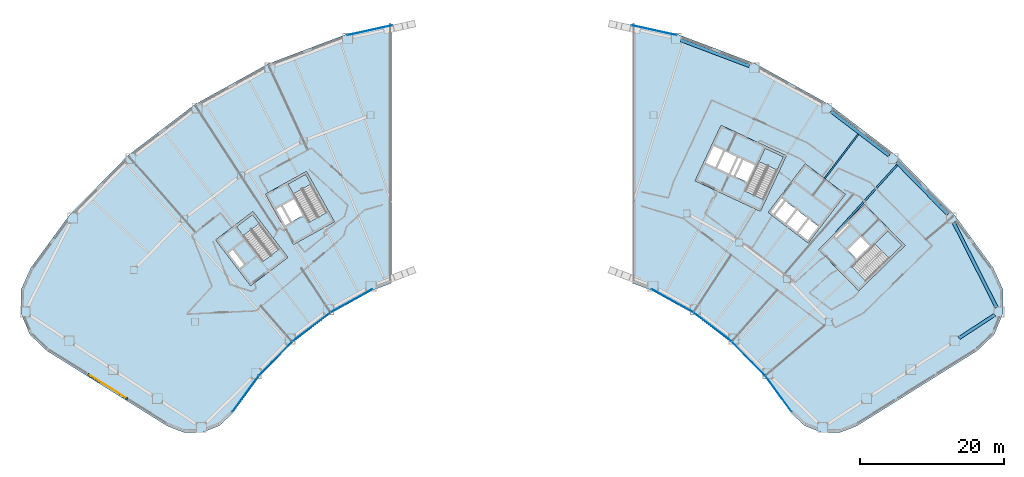
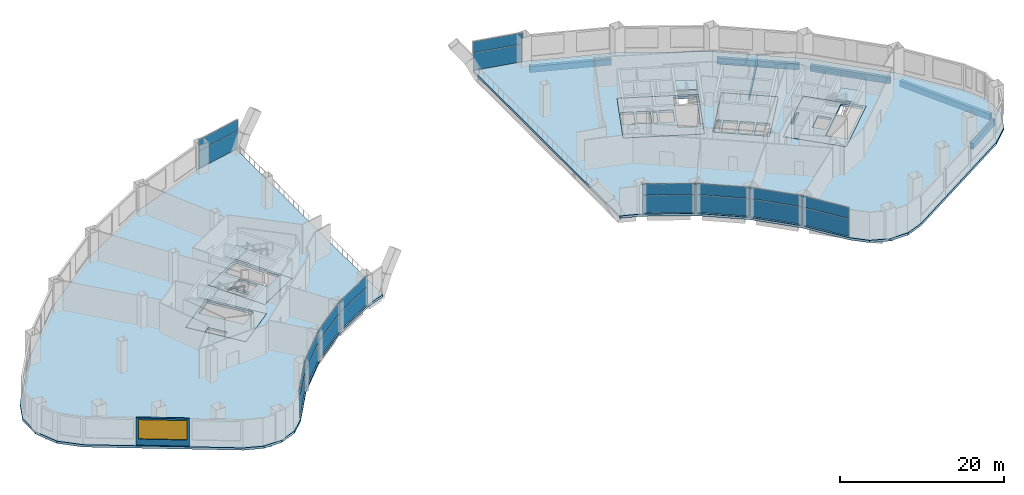
# One storey, part 11 of 20: 20 plates, 11 slabs, 7 beams, 1 wall, 1 window, 1 opening, 14 elements without a shape of their own.
"""IFC4 building model written with IfcOpenShell, lengths in metres."""

from ifc_helpers import new_model, si_unit, direction, frame, frame_2d, origin, origin_2d, place, context, subcontext, project, spatial, polyline, rectangle, hollow_rectangle, i_section, outline, extrude, material, layer, layer_set, material_profile, profile_set, type_object, element, fill, aggregate, save


model = new_model("IFC4")

# Units and contexts
model_context = context("Model", 3, precision=1e-05, world=origin(), true_north=direction((0.0, 1.0)))
body_context = subcontext(model_context, "Body", "Model", "MODEL_VIEW")
ifc_project = project(units=[si_unit("LENGTHUNIT", "METRE"), si_unit("AREAUNIT", "SQUARE_METRE"), si_unit("VOLUMEUNIT", "CUBIC_METRE"), si_unit("PLANEANGLEUNIT", "RADIAN"), si_unit("MASSUNIT", "GRAM", prefix="KILO")], contexts=[model_context])

# Site, building, storey
site_placement = place(None, origin())
site = spatial("IfcSite", under=ifc_project, at=site_placement, CompositionType="ELEMENT")
building_placement = place(site_placement, origin())
building = spatial("IfcBuilding", under=site, at=building_placement, Name="Tuul Gate Civic Tower", CompositionType="ELEMENT")
storey_placement = place(building_placement, frame((0.0, 0.0, 12.300048828125)))
storey = spatial("IfcBuildingStorey", under=building, at=storey_placement, Name="Level 02", CompositionType="ELEMENT", Elevation=12.300048828125)

# Beams
ifc_material_1 = material(Name="Steel S355", Category="steel")
ifc_material_profile_1 = material_profile(ifc_material_1, i_section(OverallWidth=0.199951171875, OverallDepth=0.5, WebThickness=0.010009765625, FlangeThickness=0.01611328125, at=origin_2d()), Name="PG500x200x10x16")
ifc_profile_set_1 = profile_set([ifc_material_profile_1], Name="Steel S355")
beam_type_1 = type_object("IfcBeamType", Name="STR-FLOOR BEAM-PG500x200x10x16", PredefinedType="BEAM", material=ifc_profile_set_1)
beam_1_placement = place(storey_placement, frame((43.373779296875, -2.84375, -0.60009765625), z_axis=(0.604512693182, 0.796595508261, 0.0), x_axis=(-0.796595508261, 0.604512693182, 0.0)))
element("IfcBeam", 1, at=beam_1_placement, inside=storey, type_object=beam_type_1, Name="Floor beam", PredefinedType="BEAM", context=body_context, shape_type="SweptSolid", body=[
    extrude(i_section(OverallWidth=0.199951171875, OverallDepth=0.5, WebThickness=0.010009765625, FlangeThickness=0.01611328125, at=origin_2d()), origin(), (0.0, 0.0, 1.0), 7.704833984375),
])
ifc_material_2 = material(Name="Steel S355", Category="steel")
ifc_material_profile_2 = material_profile(ifc_material_2, i_section(OverallWidth=0.25, OverallDepth=0.64990234375, WebThickness=0.011962890625, FlangeThickness=0.02001953125, at=origin_2d()), Name="PG650x250x12x20")
ifc_profile_set_2 = profile_set([ifc_material_profile_2], Name="Steel S355")
beam_type_2 = type_object("IfcBeamType", Name="STR-FLOOR BEAM-PG650x250x12x20", PredefinedType="BEAM", material=ifc_profile_set_2)
beam_2_placement = place(storey_placement, frame((45.019775390625, -10.267578125, -0.675048828125), z_axis=(0.671117634609, 0.741350875441, 0.0), x_axis=(-0.741350875441, 0.671117634609, 0.0)))
element("IfcBeam", 2, at=beam_2_placement, inside=storey, type_object=beam_type_2, Name="Floor beam", PredefinedType="BEAM", context=body_context, shape_type="SweptSolid", body=[
    extrude(i_section(OverallWidth=0.25, OverallDepth=0.64990234375, WebThickness=0.011962890625, FlangeThickness=0.02001953125, at=origin_2d()), origin(), (0.0, 0.0, 1.0), 12.51416015625),
])
ifc_material_3 = material(Name="Steel S355", Category="steel")
ifc_material_profile_3 = material_profile(ifc_material_3, hollow_rectangle(XDim=0.449951171875, YDim=0.89990234375, WallThickness=0.02490234375, at=origin_2d()), Name="BOX900x450x25")
ifc_profile_set_3 = profile_set([ifc_material_profile_3], Name="Steel S355")
beam_type_3 = type_object("IfcBeamType", Name="STR-SPANDREL BEAM-BOX900x450x25", PredefinedType="BEAM", material=ifc_profile_set_3)
beam_3_placement = place(storey_placement, frame((67.245849609375, -20.742431640625, -0.800048828125), z_axis=(-0.451678979782, 0.892180530623, 0.0), x_axis=(-0.892180530623, -0.451678979782, 0.0)))
element("IfcBeam", 3, at=beam_3_placement, inside=storey, type_object=beam_type_3, Name="Spandrel beam", PredefinedType="BEAM", context=body_context, shape_type="SweptSolid", body=[
    extrude(hollow_rectangle(XDim=0.449951171875, YDim=0.89990234375, WallThickness=0.02490234375, at=origin_2d()), origin(), (0.0, 0.0, 1.0), 13.214599609375),
])
beam_4_placement = place(storey_placement, frame((60.470947265625, -7.828125, -0.800048828125), z_axis=(-0.700009826077, 0.714133211239, 0.0), x_axis=(-0.714133211239, -0.700009826077, 0.0)))
element("IfcBeam", 4, at=beam_4_placement, inside=storey, type_object=beam_type_3, Name="Spandrel beam", PredefinedType="BEAM", context=body_context, shape_type="SweptSolid", body=[
    extrude(hollow_rectangle(XDim=0.449951171875, YDim=0.89990234375, WallThickness=0.02490234375, at=origin_2d()), origin(), (0.0, 0.0, 1.0), 10.14697265625),
])
beam_5_placement = place(storey_placement, frame((52.321044921875, 0.342041015625, -0.800048828125), z_axis=(-0.795616160285, 0.605801060987, 0.0), x_axis=(-0.605801060987, -0.795616160285, 0.0)))
element("IfcBeam", 5, at=beam_5_placement, inside=storey, type_object=beam_type_3, Name="Spandrel beam", PredefinedType="BEAM", context=body_context, shape_type="SweptSolid", body=[
    extrude(hollow_rectangle(XDim=0.449951171875, YDim=0.89990234375, WallThickness=0.02490234375, at=origin_2d()), origin(), (0.0, 0.0, 1.0), 10.146728515625),
])
beam_6_placement = place(storey_placement, frame((32.937255859375, 12.758544921875, -0.800048828125), z_axis=(-0.935355549891, 0.353708913215, 0.0), x_axis=(-0.353708913215, -0.935355549891, 0.0)))
element("IfcBeam", 6, at=beam_6_placement, inside=storey, type_object=beam_type_3, Name="Spandrel beam", PredefinedType="BEAM", context=body_context, shape_type="SweptSolid", body=[
    extrude(hollow_rectangle(XDim=0.449951171875, YDim=0.89990234375, WallThickness=0.02490234375, at=origin_2d()), origin(), (0.0, 0.0, 1.0), 10.146484375),
])
beam_7_placement = place(storey_placement, frame((62.03271484375, -24.985595703125, -0.800048828125), z_axis=(0.836737319566, 0.547604472265, 0.0), x_axis=(-0.547604472265, 0.836737319566, 0.0)))
element("IfcBeam", 7, at=beam_7_placement, inside=storey, type_object=beam_type_3, Name="Spandrel beam", PredefinedType="BEAM", context=body_context, shape_type="SweptSolid", body=[
    extrude(hollow_rectangle(XDim=0.449951171875, YDim=0.89990234375, WallThickness=0.02490234375, at=origin_2d()), origin(), (0.0, 0.0, 1.0), 5.908203125),
])

# Curtain wall, plates
ifc_material_4 = material(Name="Aluminium", Category="aluminium")
ifc_layer_1 = layer(ifc_material_4, 0.199951171875)
ifc_layer_set_1 = layer_set([ifc_layer_1], Name="Aluminium")
curtain_wall_type = type_object("IfcCurtainWallType", Name="Curtain wall CW6", PredefinedType="NOTDEFINED", material=ifc_layer_set_1)
curtain_wall_1_placement = place(storey_placement, origin())
curtain_wall_1 = element("IfcCurtainWall", 8, at=curtain_wall_1_placement, inside=storey, type_object=curtain_wall_type, Name="Curtain wall CW6", PredefinedType="NOTDEFINED")
ifc_material_5 = material(Name="Insulated glass", Category="glass")
ifc_layer_2 = layer(ifc_material_5, 0.033935546875)
ifc_layer_set_2 = layer_set([ifc_layer_2], Name="Insulated glass")
plate_type = type_object("IfcPlateType", Name="CW6 panel", PredefinedType="CURTAIN_PANEL", material=ifc_layer_set_2)
plate_1_placement = place(storey_placement, frame((19.7470703125, 17.7265625, 0.06005859375), z_axis=(0.0, 0.0, 1.0), x_axis=(-0.976568507024, 0.215206763576, 0.0)))
plate_1 = element("IfcPlate", 9, at=plate_1_placement, type_object=plate_type, Name="Panel", PredefinedType="CURTAIN_PANEL", context=body_context, shape_type="SweptSolid", body=[
    extrude(rectangle(XDim=6.38037109375, YDim=0.033935546875, at=origin_2d()), origin(), (0.0, 0.0, 1.0), 2.610107421875),
])
plate_2_placement = place(storey_placement, frame((19.7470703125, 17.7265625, 2.72998046875), z_axis=(0.0, 0.0, 1.0), x_axis=(-0.976568507024, 0.215206763576, 0.0)))
plate_2 = element("IfcPlate", 10, at=plate_2_placement, type_object=plate_type, Name="Panel", PredefinedType="CURTAIN_PANEL", context=body_context, shape_type="SweptSolid", body=[
    extrude(rectangle(XDim=6.38037109375, YDim=0.033935546875, at=origin_2d()), origin(), (0.0, 0.0, 1.0), 1.659912109375),
])
aggregate(curtain_wall_1, [plate_1, plate_2])

curtain_wall_2_placement = place(storey_placement, origin())
curtain_wall_2 = element("IfcCurtainWall", 11, at=curtain_wall_2_placement, inside=storey, type_object=curtain_wall_type, Name="Curtain wall CW6", PredefinedType="NOTDEFINED")
plate_3_placement = place(storey_placement, frame((-19.7470703125, 17.7265625, 0.06005859375), z_axis=(0.0, 0.0, 1.0), x_axis=(-0.976568507024, -0.215206763576, 0.0)))
plate_3 = element("IfcPlate", 12, at=plate_3_placement, type_object=plate_type, Name="Panel", PredefinedType="CURTAIN_PANEL", context=body_context, shape_type="SweptSolid", body=[
    extrude(rectangle(XDim=6.38037109375, YDim=0.033935546875, at=origin_2d()), origin(), (0.0, 0.0, 1.0), 2.610107421875),
])
plate_4_placement = place(storey_placement, frame((-19.7470703125, 17.7265625, 2.72998046875), z_axis=(0.0, 0.0, 1.0), x_axis=(-0.976568507024, -0.215206763576, 0.0)))
plate_4 = element("IfcPlate", 13, at=plate_4_placement, type_object=plate_type, Name="Panel", PredefinedType="CURTAIN_PANEL", context=body_context, shape_type="SweptSolid", body=[
    extrude(rectangle(XDim=6.38037109375, YDim=0.033935546875, at=origin_2d()), origin(), (0.0, 0.0, 1.0), 1.659912109375),
])
aggregate(curtain_wall_2, [plate_3, plate_4])

curtain_wall_3_placement = place(storey_placement, origin())
curtain_wall_3 = element("IfcCurtainWall", 14, at=curtain_wall_3_placement, inside=storey, type_object=curtain_wall_type, Name="Curtain wall CW6", PredefinedType="NOTDEFINED")
plate_5_placement = place(storey_placement, frame((-36.994384765625, -32.735595703125, 0.06005859375), z_axis=(0.0, 0.0, 1.0), x_axis=(0.589756302404, 0.807581267597, 0.0)))
plate_5 = element("IfcPlate", 15, at=plate_5_placement, type_object=plate_type, Name="Panel", PredefinedType="CURTAIN_PANEL", context=body_context, shape_type="SweptSolid", body=[
    extrude(rectangle(XDim=6.141845703125, YDim=0.033935546875, at=origin_2d()), origin(), (0.0, 0.0, 1.0), 2.610107421875),
])
plate_6_placement = place(storey_placement, frame((-36.994384765625, -32.735595703125, 2.72998046875), z_axis=(0.0, 0.0, 1.0), x_axis=(0.589756302404, 0.807581267597, 0.0)))
plate_6 = element("IfcPlate", 16, at=plate_6_placement, type_object=plate_type, Name="Panel", PredefinedType="CURTAIN_PANEL", context=body_context, shape_type="SweptSolid", body=[
    extrude(rectangle(XDim=6.141845703125, YDim=0.033935546875, at=origin_2d()), origin(), (0.0, 0.0, 1.0), 1.659912109375),
])
aggregate(curtain_wall_3, [plate_5, plate_6])

curtain_wall_4_placement = place(storey_placement, origin())
curtain_wall_4 = element("IfcCurtainWall", 17, at=curtain_wall_4_placement, inside=storey, type_object=curtain_wall_type, Name="Curtain wall CW6", PredefinedType="NOTDEFINED")
plate_7_placement = place(storey_placement, frame((-32.818115234375, -27.830078125, 0.06005859375), z_axis=(0.0, 0.0, 1.0), x_axis=(0.700011333423, 0.714131733701, 0.0)))
plate_7 = element("IfcPlate", 18, at=plate_7_placement, type_object=plate_type, Name="Panel", PredefinedType="CURTAIN_PANEL", context=body_context, shape_type="SweptSolid", body=[
    extrude(rectangle(XDim=6.537109375, YDim=0.033935546875, at=origin_2d()), origin(), (0.0, 0.0, 1.0), 2.610107421875),
])
plate_8_placement = place(storey_placement, frame((-32.818115234375, -27.830078125, 2.72998046875), z_axis=(0.0, 0.0, 1.0), x_axis=(0.700011333423, 0.714131733701, 0.0)))
plate_8 = element("IfcPlate", 19, at=plate_8_placement, type_object=plate_type, Name="Panel", PredefinedType="CURTAIN_PANEL", context=body_context, shape_type="SweptSolid", body=[
    extrude(rectangle(XDim=6.537109375, YDim=0.033935546875, at=origin_2d()), origin(), (0.0, 0.0, 1.0), 1.659912109375),
])
aggregate(curtain_wall_4, [plate_7, plate_8])

curtain_wall_5_placement = place(storey_placement, origin())
curtain_wall_5 = element("IfcCurtainWall", 20, at=curtain_wall_5_placement, inside=storey, type_object=curtain_wall_type, Name="Curtain wall CW6", PredefinedType="NOTDEFINED")
plate_9_placement = place(storey_placement, frame((-27.839599609375, -23.4365234375, 0.06005859375), z_axis=(0.0, 0.0, 1.0), x_axis=(0.795635109048, 0.605776174218, 0.0)))
plate_9 = element("IfcPlate", 21, at=plate_9_placement, type_object=plate_type, Name="Panel", PredefinedType="CURTAIN_PANEL", context=body_context, shape_type="SweptSolid", body=[
    extrude(rectangle(XDim=6.53759765625, YDim=0.033935546875, at=origin_2d()), origin(), (0.0, 0.0, 1.0), 2.610107421875),
])
plate_10_placement = place(storey_placement, frame((-27.839599609375, -23.4365234375, 2.72998046875), z_axis=(0.0, 0.0, 1.0), x_axis=(0.795635109048, 0.605776174218, 0.0)))
plate_10 = element("IfcPlate", 22, at=plate_10_placement, type_object=plate_type, Name="Panel", PredefinedType="CURTAIN_PANEL", context=body_context, shape_type="SweptSolid", body=[
    extrude(rectangle(XDim=6.53759765625, YDim=0.033935546875, at=origin_2d()), origin(), (0.0, 0.0, 1.0), 1.659912109375),
])
aggregate(curtain_wall_5, [plate_9, plate_10])

curtain_wall_6_placement = place(storey_placement, origin())
curtain_wall_6 = element("IfcCurtainWall", 23, at=curtain_wall_6_placement, inside=storey, type_object=curtain_wall_type, Name="Curtain wall CW6", PredefinedType="NOTDEFINED")
plate_11_placement = place(storey_placement, frame((-22.279541015625, -19.806396484375, 0.06005859375), z_axis=(0.0, 0.0, 1.0), x_axis=(0.87466693756, 0.484724404523, 0.0)))
plate_11 = element("IfcPlate", 24, at=plate_11_placement, type_object=plate_type, Name="Panel", PredefinedType="CURTAIN_PANEL", context=body_context, shape_type="SweptSolid", body=[
    extrude(rectangle(XDim=6.537353515625, YDim=0.033935546875, at=origin_2d()), origin(), (0.0, 0.0, 1.0), 2.610107421875),
])
plate_12_placement = place(storey_placement, frame((-22.279541015625, -19.806396484375, 2.72998046875), z_axis=(0.0, 0.0, 1.0), x_axis=(0.87466693756, 0.484724404523, 0.0)))
plate_12 = element("IfcPlate", 25, at=plate_12_placement, type_object=plate_type, Name="Panel", PredefinedType="CURTAIN_PANEL", context=body_context, shape_type="SweptSolid", body=[
    extrude(rectangle(XDim=6.537353515625, YDim=0.033935546875, at=origin_2d()), origin(), (0.0, 0.0, 1.0), 1.659912109375),
])
aggregate(curtain_wall_6, [plate_11, plate_12])

curtain_wall_7_placement = place(storey_placement, origin())
curtain_wall_7 = element("IfcCurtainWall", 26, at=curtain_wall_7_placement, inside=storey, type_object=curtain_wall_type, Name="Curtain wall CW6", PredefinedType="NOTDEFINED")
plate_13_placement = place(storey_placement, frame((22.279541015625, -19.806396484375, 0.06005859375), z_axis=(0.0, 0.0, 1.0), x_axis=(0.87466693756, -0.484724404523, 0.0)))
plate_13 = element("IfcPlate", 27, at=plate_13_placement, type_object=plate_type, Name="Panel", PredefinedType="CURTAIN_PANEL", context=body_context, shape_type="SweptSolid", body=[
    extrude(rectangle(XDim=6.537353515625, YDim=0.033935546875, at=origin_2d()), origin(), (0.0, 0.0, 1.0), 2.610107421875),
])
plate_14_placement = place(storey_placement, frame((22.279541015625, -19.806396484375, 2.72998046875), z_axis=(0.0, 0.0, 1.0), x_axis=(0.87466693756, -0.484724404523, 0.0)))
plate_14 = element("IfcPlate", 28, at=plate_14_placement, type_object=plate_type, Name="Panel", PredefinedType="CURTAIN_PANEL", context=body_context, shape_type="SweptSolid", body=[
    extrude(rectangle(XDim=6.537353515625, YDim=0.033935546875, at=origin_2d()), origin(), (0.0, 0.0, 1.0), 1.659912109375),
])
aggregate(curtain_wall_7, [plate_13, plate_14])

curtain_wall_8_placement = place(storey_placement, origin())
curtain_wall_8 = element("IfcCurtainWall", 29, at=curtain_wall_8_placement, inside=storey, type_object=curtain_wall_type, Name="Curtain wall CW6", PredefinedType="NOTDEFINED")
plate_15_placement = place(storey_placement, frame((27.839599609375, -23.4365234375, 0.06005859375), z_axis=(0.0, 0.0, 1.0), x_axis=(0.795635109048, -0.605776174218, 0.0)))
plate_15 = element("IfcPlate", 30, at=plate_15_placement, type_object=plate_type, Name="Panel", PredefinedType="CURTAIN_PANEL", context=body_context, shape_type="SweptSolid", body=[
    extrude(rectangle(XDim=6.53759765625, YDim=0.033935546875, at=origin_2d()), origin(), (0.0, 0.0, 1.0), 2.610107421875),
])
plate_16_placement = place(storey_placement, frame((27.839599609375, -23.4365234375, 2.72998046875), z_axis=(0.0, 0.0, 1.0), x_axis=(0.795635109048, -0.605776174218, 0.0)))
plate_16 = element("IfcPlate", 31, at=plate_16_placement, type_object=plate_type, Name="Panel", PredefinedType="CURTAIN_PANEL", context=body_context, shape_type="SweptSolid", body=[
    extrude(rectangle(XDim=6.53759765625, YDim=0.033935546875, at=origin_2d()), origin(), (0.0, 0.0, 1.0), 1.659912109375),
])
aggregate(curtain_wall_8, [plate_15, plate_16])

curtain_wall_9_placement = place(storey_placement, origin())
curtain_wall_9 = element("IfcCurtainWall", 32, at=curtain_wall_9_placement, inside=storey, type_object=curtain_wall_type, Name="Curtain wall CW6", PredefinedType="NOTDEFINED")
plate_17_placement = place(storey_placement, frame((32.818115234375, -27.830078125, 0.06005859375), z_axis=(0.0, 0.0, 1.0), x_axis=(0.700011333423, -0.714131733701, 0.0)))
plate_17 = element("IfcPlate", 33, at=plate_17_placement, type_object=plate_type, Name="Panel", PredefinedType="CURTAIN_PANEL", context=body_context, shape_type="SweptSolid", body=[
    extrude(rectangle(XDim=6.537109375, YDim=0.033935546875, at=origin_2d()), origin(), (0.0, 0.0, 1.0), 2.610107421875),
])
plate_18_placement = place(storey_placement, frame((32.818115234375, -27.830078125, 2.72998046875), z_axis=(0.0, 0.0, 1.0), x_axis=(0.700011333423, -0.714131733701, 0.0)))
plate_18 = element("IfcPlate", 34, at=plate_18_placement, type_object=plate_type, Name="Panel", PredefinedType="CURTAIN_PANEL", context=body_context, shape_type="SweptSolid", body=[
    extrude(rectangle(XDim=6.537109375, YDim=0.033935546875, at=origin_2d()), origin(), (0.0, 0.0, 1.0), 1.659912109375),
])
aggregate(curtain_wall_9, [plate_17, plate_18])

curtain_wall_10_placement = place(storey_placement, origin())
curtain_wall_10 = element("IfcCurtainWall", 35, at=curtain_wall_10_placement, inside=storey, type_object=curtain_wall_type, Name="Curtain wall CW6", PredefinedType="NOTDEFINED")
plate_19_placement = place(storey_placement, frame((36.994384765625, -32.735595703125, 0.06005859375), z_axis=(0.0, 0.0, 1.0), x_axis=(0.589756302404, -0.807581267597, 0.0)))
plate_19 = element("IfcPlate", 36, at=plate_19_placement, type_object=plate_type, Name="Panel", PredefinedType="CURTAIN_PANEL", context=body_context, shape_type="SweptSolid", body=[
    extrude(rectangle(XDim=6.141845703125, YDim=0.033935546875, at=origin_2d()), origin(), (0.0, 0.0, 1.0), 2.610107421875),
])
plate_20_placement = place(storey_placement, frame((36.994384765625, -32.735595703125, 2.72998046875), z_axis=(0.0, 0.0, 1.0), x_axis=(0.589756302404, -0.807581267597, 0.0)))
plate_20 = element("IfcPlate", 37, at=plate_20_placement, type_object=plate_type, Name="Panel", PredefinedType="CURTAIN_PANEL", context=body_context, shape_type="SweptSolid", body=[
    extrude(rectangle(XDim=6.141845703125, YDim=0.033935546875, at=origin_2d()), origin(), (0.0, 0.0, 1.0), 1.659912109375),
])
aggregate(curtain_wall_10, [plate_19, plate_20])

# Slabs
ifc_material_6 = material(Name="Concrete C40/50", Category="concrete")
ifc_layer_3 = layer(ifc_material_6, 0.35009765625)
ifc_layer_set_3 = layer_set([ifc_layer_3], Name="Concrete C40/50")
slab_type_1 = type_object("IfcSlabType", Name="Core floor slab 350", PredefinedType="FLOOR", material=ifc_layer_set_3)
slab_1_placement = place(storey_placement, frame((0.0, 0.0, -0.35009765625)))
element("IfcSlab", 38, at=slab_1_placement, inside=storey, type_object=slab_type_1, Name="FLOOR SLAB", PredefinedType="FLOOR", context=body_context, shape_type="SweptSolid", body=[
    extrude(outline(polyline([(-31.10009765625, -13.7890625), (-35.946044921875, -7.423828125), (-41.11767578125, -11.361572265625), (-36.271484375, -17.726806640625), (-31.10009765625, -13.7890625)]), holes=[polyline([(-37.19287109375, -14.783203125), (-38.737548828125, -12.75439453125), (-39.45361328125, -13.299560546875), (-37.908935546875, -15.328369140625), (-37.19287109375, -14.783203125)]), polyline([(-32.33935546875, -12.65771484375), (-34.56591796875, -14.352783203125), (-38.229736328125, -9.54052734375), (-36.003173828125, -7.845458984375), (-32.33935546875, -12.65771484375)])]), origin(), (0.0, 0.0, 1.0), 0.35009765625),
])
slab_2_placement = place(storey_placement, frame((0.0, 0.0, -0.35009765625)))
element("IfcSlab", 39, at=slab_2_placement, inside=storey, type_object=slab_type_1, Name="FLOOR SLAB", PredefinedType="FLOOR", context=body_context, shape_type="SweptSolid", body=[
    extrude(outline(polyline([(-24.638916015625, -8.846923828125), (-28.51708984375, -1.849853515625), (-34.2021484375, -5.0009765625), (-30.32421875, -11.998046875), (-24.638916015625, -8.846923828125)]), holes=[polyline([(-29.0185546875, -7.958740234375), (-30.254638671875, -5.728515625), (-31.785400390625, -6.576904296875), (-30.54931640625, -8.80712890625), (-29.0185546875, -7.958740234375)]), polyline([(-30.8115234375, -8.95263671875), (-32.047607421875, -6.72216796875), (-32.8349609375, -7.158447265625), (-31.5986328125, -9.388916015625), (-30.8115234375, -8.95263671875)]), polyline([(-25.702392578125, -7.548828125), (-28.14990234375, -8.905517578125), (-31.08203125, -3.615234375), (-28.63427734375, -2.2587890625), (-25.702392578125, -7.548828125)])]), origin(), (0.0, 0.0, 1.0), 0.35009765625),
])
slab_3_placement = place(storey_placement, frame((0.0, 0.0, -0.35009765625)))
element("IfcSlab", 40, at=slab_3_placement, inside=storey, type_object=slab_type_1, Name="FLOOR SLAB", PredefinedType="FLOOR", context=body_context, shape_type="SweptSolid", body=[
    extrude(outline(polyline([(48.117919921875, -18.43310546875), (54.545166015625, -12.1328125), (48.945068359375, -6.419921875), (42.517822265625, -12.719970703125), (48.117919921875, -18.43310546875)]), holes=[polyline([(47.808837890625, -13.974853515625), (49.6298828125, -12.18994140625), (48.40478515625, -10.940185546875), (46.583984375, -12.72509765625), (47.808837890625, -13.974853515625)]), polyline([(44.93896484375, -11.046875), (46.760009765625, -9.261962890625), (46.514892578125, -9.011962890625), (44.69384765625, -10.797119140625), (44.93896484375, -11.046875)]), polyline([(49.086181640625, -17.062744140625), (47.12744140625, -15.064208984375), (52.160888671875, -10.130126953125), (54.11962890625, -12.128662109375), (49.086181640625, -17.062744140625)])]), origin(), (0.0, 0.0, 1.0), 0.35009765625),
])
slab_4_placement = place(storey_placement, frame((0.0, 0.0, -0.35009765625)))
element("IfcSlab", 41, at=slab_4_placement, inside=storey, type_object=slab_type_1, Name="FLOOR SLAB", PredefinedType="FLOOR", context=body_context, shape_type="SweptSolid", body=[
    extrude(outline(polyline([(34.465087890625, -7.385986328125), (38.056884765625, 0.31787109375), (28.993896484375, 4.543701171875), (25.40185546875, -3.159912109375), (34.465087890625, -7.385986328125)]), holes=[polyline([(32.60888671875, -3.32080078125), (33.6865234375, -1.009765625), (32.1005859375, -0.27001953125), (31.02294921875, -2.581298828125), (32.60888671875, -3.32080078125)]), polyline([(30.0712890625, -2.137451171875), (31.14892578125, 0.173583984375), (29.562744140625, 0.9130859375), (28.4853515625, -1.39794921875), (30.0712890625, -2.137451171875)]), polyline([(30.751220703125, -2.454345703125), (31.82861328125, -0.143310546875), (31.4208984375, 0.046875), (30.34326171875, -2.264404296875), (30.751220703125, -2.454345703125)]), polyline([(28.21337890625, -1.27099609375), (29.291015625, 1.0400390625), (27.8408203125, 1.71630859375), (26.76318359375, -0.594970703125), (28.21337890625, -1.27099609375)]), polyline([(34.889892578125, -5.7626953125), (32.353759765625, -4.580078125), (35.120849609375, 1.354736328125), (37.6572265625, 0.17236328125), (34.889892578125, -5.7626953125)])]), origin(), (0.0, 0.0, 1.0), 0.35009765625),
])
ifc_material_7 = material(Name="Concrete C40/50", Category="concrete")
ifc_layer_4 = layer(ifc_material_7, 0.35009765625)
ifc_layer_set_4 = layer_set([ifc_layer_4], Name="Concrete C40/50")
slab_type_2 = type_object("IfcSlabType", Name="Core floor slab 350 non-bearing", PredefinedType="FLOOR", material=ifc_layer_set_4)
slab_5_placement = place(storey_placement, frame((0.0, 0.0, -0.35009765625)))
element("IfcSlab", 42, at=slab_5_placement, inside=storey, type_object=slab_type_2, Name="FLOOR SLAB", PredefinedType="FLOOR", context=body_context, shape_type="SweptSolid", body=[
    extrude(outline(polyline([(41.10107421875, -11.797119140625), (46.25, -5.033935546875), (40.680908203125, -0.79296875), (35.531982421875, -7.555908203125), (41.10107421875, -11.797119140625)]), holes=[polyline([(41.044189453125, -11.37646484375), (42.497802734375, -9.467041015625), (41.22509765625, -8.49755859375), (39.77099609375, -10.4072265625), (41.044189453125, -11.37646484375)]), polyline([(39.532470703125, -10.225341796875), (40.986328125, -8.31591796875), (39.593994140625, -7.255615234375), (38.14013671875, -9.165283203125), (39.532470703125, -10.225341796875)]), polyline([(37.901611328125, -8.9833984375), (39.35546875, -7.073974609375), (37.963134765625, -6.013671875), (36.50927734375, -7.923095703125), (37.901611328125, -8.9833984375)]), polyline([(36.1796875, -7.860595703125), (37.724609375, -5.831787109375), (37.286865234375, -5.49853515625), (35.7421875, -7.527587890625), (36.1796875, -7.860595703125)])]), origin(), (0.0, 0.0, 1.0), 0.35009765625),
])

# Stair, slab
ifc_material_8 = material(Name="Concrete C40/50", Category="concrete")
stair_type = type_object("IfcStairType", Name="Exit stair", PredefinedType="HALF_TURN_STAIR", material=ifc_material_8)
stair_1_placement = place(storey_placement, origin())
stair_1 = element("IfcStair", 43, at=stair_1_placement, inside=storey, type_object=stair_type, Name="Level 02 ST-1", PredefinedType="HALF_TURN_STAIR")
ifc_material_9 = material(Name="Concrete C40/50", Category="concrete")
ifc_layer_5 = layer(ifc_material_9, 0.199951171875)
ifc_layer_set_5 = layer_set([ifc_layer_5], Name="Concrete C40/50")
slab_type_3 = type_object("IfcSlabType", Name="Exit stair landing", PredefinedType="LANDING", material=ifc_layer_set_5)
slab_6_placement = place(storey_placement, frame((0.0, 0.0, 2.199951171875)))
slab_6 = element("IfcSlab", 44, at=slab_6_placement, type_object=slab_type_3, Name="ST-1 landing 1", PredefinedType="LANDING", context=body_context, shape_type="SweptSolid", body=[
    extrude(outline(polyline([(-35.06298828125, -9.07763671875), (-37.2919921875, -10.774658203125), (-38.23193359375, -9.540283203125), (-36.0029296875, -7.843017578125), (-35.06298828125, -9.07763671875)])), origin(), (0.0, 0.0, 1.0), 0.199951171875),
])
aggregate(stair_1, [slab_6])

stair_2_placement = place(storey_placement, origin())
stair_2 = element("IfcStair", 45, at=stair_2_placement, inside=storey, type_object=stair_type, Name="Level 02 ST-2", PredefinedType="HALF_TURN_STAIR")
slab_7_placement = place(storey_placement, frame((0.0, 0.0, 2.199951171875)))
slab_7 = element("IfcSlab", 46, at=slab_7_placement, type_object=slab_type_3, Name="ST-2 landing 1", PredefinedType="LANDING", context=body_context, shape_type="SweptSolid", body=[
    extrude(outline(polyline([(-27.881591796875, -3.613525390625), (-30.33203125, -4.9716796875), (-31.084228515625, -3.61474609375), (-28.6337890625, -2.256591796875), (-27.881591796875, -3.613525390625)])), origin(), (0.0, 0.0, 1.0), 0.199951171875),
])
aggregate(stair_2, [slab_7])

stair_3_placement = place(storey_placement, origin())
stair_3 = element("IfcStair", 47, at=stair_3_placement, inside=storey, type_object=stair_type, Name="Level 02 ST-3", PredefinedType="HALF_TURN_STAIR")
slab_8_placement = place(storey_placement, frame((0.0, 0.0, 2.199951171875)))
slab_8 = element("IfcSlab", 48, at=slab_8_placement, type_object=slab_type_3, Name="ST-3 landing 1", PredefinedType="LANDING", context=body_context, shape_type="SweptSolid", body=[
    extrude(outline(polyline([(52.2998046875, -13.914794921875), (50.338623046875, -11.9140625), (52.160888671875, -10.1279296875), (54.1220703125, -12.128662109375), (52.2998046875, -13.914794921875)])), origin(), (0.0, 0.0, 1.0), 0.199951171875),
])
aggregate(stair_3, [slab_8])

stair_4_placement = place(storey_placement, origin())
stair_4 = element("IfcStair", 49, at=stair_4_placement, inside=storey, type_object=stair_type, Name="Level 02 ST-4", PredefinedType="HALF_TURN_STAIR")
slab_9_placement = place(storey_placement, frame((0.0, 0.0, 2.199951171875)))
slab_9 = element("IfcSlab", 50, at=slab_9_placement, type_object=slab_type_3, Name="ST-4 landing 1", PredefinedType="LANDING", context=body_context, shape_type="SweptSolid", body=[
    extrude(outline(polyline([(36.792236328125, -1.686279296875), (34.253173828125, -0.50244140625), (35.1201171875, 1.35693359375), (37.659423828125, 0.173095703125), (36.792236328125, -1.686279296875)])), origin(), (0.0, 0.0, 1.0), 0.199951171875),
])
aggregate(stair_4, [slab_9])

# Slabs
ifc_material_10 = material(Name="Concrete C35/45", Category="concrete")
ifc_layer_6 = layer(ifc_material_10, 0.35009765625)
ifc_layer_set_6 = layer_set([ifc_layer_6], Name="Concrete C35/45")
slab_type_4 = type_object("IfcSlabType", Name="STR-FLOOR-SLAB-350", PredefinedType="FLOOR", material=ifc_layer_set_6)
slab_10_placement = place(storey_placement, frame((0.0, 0.0, -0.35009765625)))
element("IfcSlab", 51, at=slab_10_placement, inside=storey, type_object=slab_type_4, Name="Level 02/slab/W", PredefinedType="FLOOR", context=body_context, shape_type="SweptSolid", body=[
    extrude(outline(polyline([(-25.10888671875, -21.5458984375), (-19.304931640625, -18.3291015625), (-16.738037109375, -17.35791015625), (-16.738037109375, 18.54296875), (-22.964111328125, 17.1708984375), (-33.844970703125, 13.056884765625), (-44.02001953125, 7.4169921875), (-53.27587890625, 0.368896484375), (-61.419921875, -7.93896484375), (-66.757080078125, -15.24609375), (-68.10302734375, -18.218017578125), (-68.15087890625, -21.48095703125), (-66.89208984375, -24.490966796875), (-64.535888671875, -26.7490234375), (-47.85888671875, -37.1689453125), (-45.4990234375, -38.087890625), (-42.967041015625, -38.0791015625), (-40.613037109375, -37.14404296875), (-38.763916015625, -35.4130859375), (-35.032958984375, -30.304931640625), (-30.387939453125, -25.56591796875), (-25.10888671875, -21.5458984375)]), holes=[polyline([(-31.10009765625, -13.7890625), (-36.27197265625, -17.72705078125), (-41.117919921875, -11.362060546875), (-35.946044921875, -7.424072265625), (-31.10009765625, -13.7890625)]), polyline([(-30.323974609375, -11.998046875), (-34.201904296875, -5.0009765625), (-28.51708984375, -1.85009765625), (-24.638916015625, -8.846923828125), (-30.323974609375, -11.998046875)])]), origin(), (0.0, 0.0, 1.0), 0.35009765625),
])
slab_11_placement = place(storey_placement, frame((0.0, 0.0, -0.35009765625)))
element("IfcSlab", 52, at=slab_11_placement, inside=storey, type_object=slab_type_4, Name="Level 02/slab/E", PredefinedType="FLOOR", context=body_context, shape_type="SweptSolid", body=[
    extrude(outline(polyline([(33.844970703125, 13.056884765625), (22.964111328125, 17.1708984375), (16.738037109375, 18.54296875), (16.738037109375, -17.35791015625), (19.304931640625, -18.3291015625), (25.10888671875, -21.5458984375), (30.387939453125, -25.56591796875), (35.032958984375, -30.304931640625), (38.763916015625, -35.4130859375), (40.613037109375, -37.14404296875), (42.967041015625, -38.0791015625), (45.4990234375, -38.087890625), (47.85888671875, -37.1689453125), (64.535888671875, -26.7490234375), (66.89208984375, -24.490966796875), (68.15087890625, -21.48095703125), (68.10302734375, -18.218017578125), (66.757080078125, -15.24609375), (61.419921875, -7.93896484375), (53.27587890625, 0.368896484375), (44.02001953125, 7.4169921875), (33.844970703125, 13.056884765625)]), holes=[polyline([(42.51806640625, -12.719970703125), (48.945068359375, -6.419921875), (54.544921875, -12.133056640625), (48.117919921875, -18.43310546875), (42.51806640625, -12.719970703125)]), polyline([(41.10107421875, -11.797119140625), (35.531982421875, -7.555908203125), (40.680908203125, -0.79296875), (46.25, -5.033935546875), (41.10107421875, -11.797119140625)]), polyline([(25.402099609375, -3.159912109375), (28.993896484375, 4.5439453125), (38.056884765625, 0.318115234375), (34.465087890625, -7.385986328125), (25.402099609375, -3.159912109375)])]), origin(), (0.0, 0.0, 1.0), 0.35009765625),
])

# Wall, opening, window
ifc_material_11 = material(Name="Precast concrete C40/50", Category="concrete")
ifc_layer_7 = layer(ifc_material_11, 0.25)
ifc_layer_set_7 = layer_set([ifc_layer_7], Name="Precast concrete C40/50")
wall_type = type_object("IfcWallType", Name="External wall", PredefinedType="STANDARD", material=ifc_layer_set_7)
wall_placement = place(storey_placement, frame((-58.8525390625, -29.975341796875, 0.0), z_axis=(0.0, 0.0, 1.0), x_axis=(0.848042412856, -0.529928359306, 0.0)))
wall = element("IfcWall", 53, at=wall_placement, inside=storey, type_object=wall_type, Name="External wall", PredefinedType="STANDARD", context=body_context, shape_type="SweptSolid", body=[
    extrude(rectangle(XDim=6.529541015625, YDim=0.25, at=frame_2d((3.2646484375, 0.0))), origin(), (0.0, 0.0, 1.0), 4.050048828125),
])
opening_placement = place(wall_placement, frame((0.314697265625, 0.0, 0.89990234375)))
opening = element("IfcOpeningElement", 54, at=opening_placement, cuts=wall, Name="Opening W14", PredefinedType="OPENING", context=body_context, shape_type="SweptSolid", body=[
    extrude(rectangle(XDim=5.89990234375, YDim=2.89990234375, at=frame_2d((2.949951171875, 1.449951171875))), frame((0.0, 0.135009765625, 0.0), z_axis=(0.0, -1.0, 0.0), x_axis=(1.0, 0.0, 0.0)), (0.0, 0.0, 1.0), 0.27001953125),
])
ifc_material_12 = material(Name="Glass", Category="glass")
window_type = type_object("IfcWindowType", Name="Window W14 5900 x 2900", PartitioningType="SINGLE_PANEL", PredefinedType="WINDOW", material=ifc_material_12)
window_placement = place(opening_placement, origin())
window = element("IfcWindow", 55, at=window_placement, inside=storey, type_object=window_type, Name="Window", OverallHeight=2.89990234375, OverallWidth=5.89990234375, PartitioningType="SINGLE_PANEL", PredefinedType="WINDOW", context=body_context, shape_type="SweptSolid", body=[
    extrude(rectangle(XDim=5.89990234375, YDim=2.89990234375, at=frame_2d((2.949951171875, 1.449951171875))), frame((0.0, 0.030029296875, 0.0), z_axis=(0.0, -1.0, 0.0), x_axis=(1.0, 0.0, 0.0)), (0.0, 0.0, 1.0), 0.06005859375),
])
fill(opening, window)

save(model, "model.ifc")
